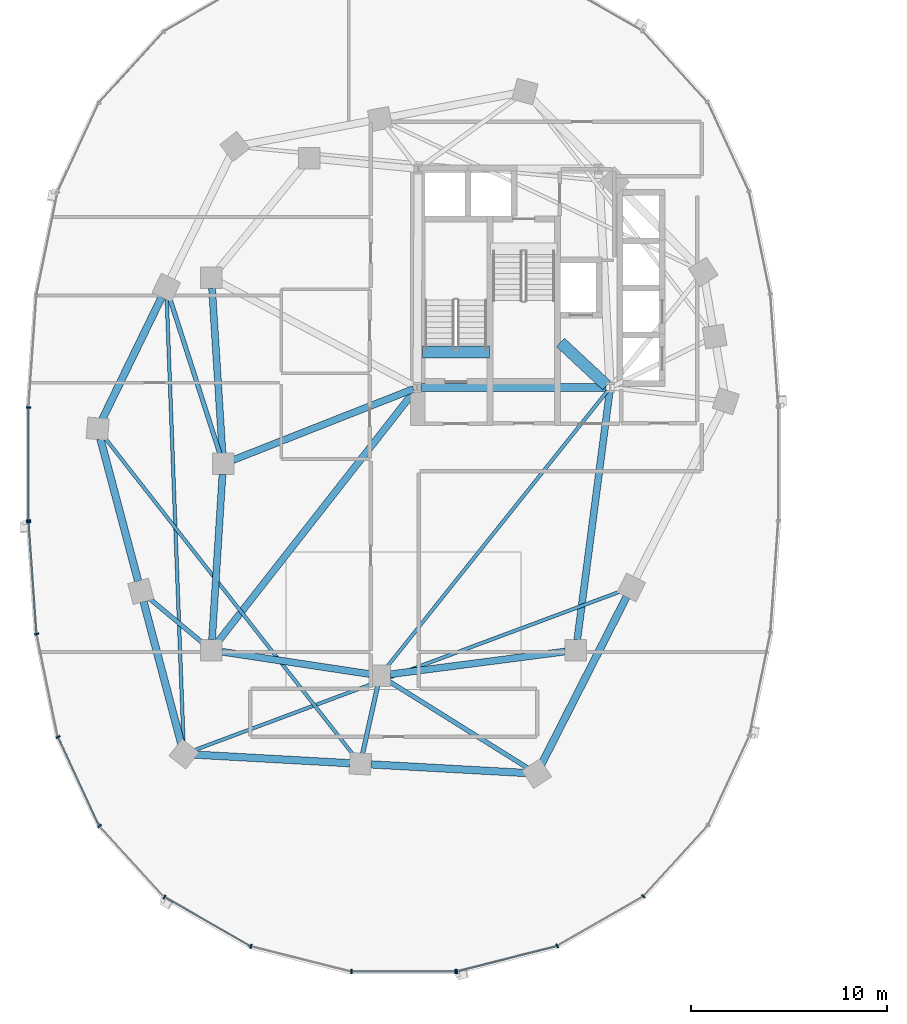
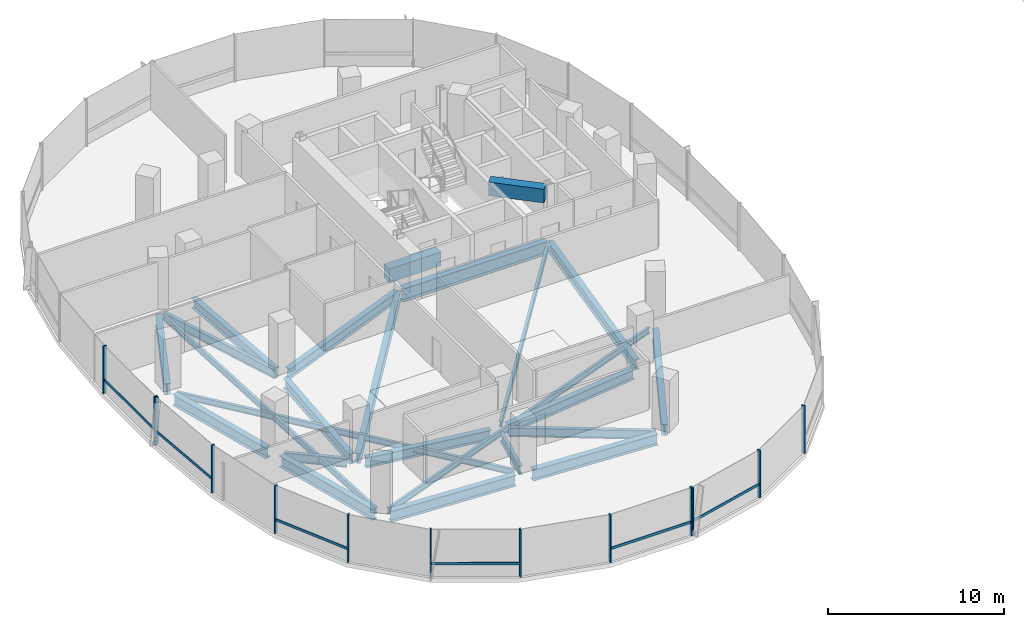
# One storey, part 2 of 21: 24 beams, 19 members, 3 elements without a shape of their own.
"""IFC4 building model written with IfcOpenShell, lengths in metres."""

from ifc_helpers import new_model, si_unit, direction, frame, origin, origin_2d, place, context, subcontext, project, spatial, rectangle, i_section, extrude, material, material_profile, profile_set, type_object, element, aggregate, save


model = new_model("IFC4")

# Units and contexts
model_context = context("Model", 3, precision=1e-05, world=origin(), true_north=direction((0.0, 1.0)))
body_context = subcontext(model_context, "Body", "Model", "MODEL_VIEW")
ifc_project = project(units=[si_unit("LENGTHUNIT", "METRE"), si_unit("AREAUNIT", "SQUARE_METRE"), si_unit("VOLUMEUNIT", "CUBIC_METRE"), si_unit("PLANEANGLEUNIT", "RADIAN"), si_unit("MASSUNIT", "GRAM", prefix="KILO"), si_unit("THERMODYNAMICTEMPERATUREUNIT", "KELVIN"), si_unit("POWERUNIT", "WATT")], contexts=[model_context])

# Site, building, storey
site_placement = place(None, origin())
site = spatial("IfcSite", under=ifc_project, at=site_placement, CompositionType="ELEMENT")
building_placement = place(site_placement, origin())
building = spatial("IfcBuilding", under=site, at=building_placement, Name="Cundina Bronze Exchange", CompositionType="ELEMENT")
storey_placement = place(building_placement, frame((0.0, 0.0, 103.39990234375)))
storey = spatial("IfcBuildingStorey", under=building, at=storey_placement, Name="L26", CompositionType="ELEMENT", Elevation=103.39990234375)

# Beams
ifc_material_1 = material(Name="Concrete C60/75", Category="concrete")
ifc_material_profile_1 = material_profile(ifc_material_1, rectangle(XDim=0.60009765625, YDim=0.949951171875, at=origin_2d()), Name="RC600X950", Category="concrete")
ifc_profile_set_1 = profile_set([ifc_material_profile_1], Name="Concrete C60/75")
beam_type_1 = type_object("IfcBeamType", Name="BM-COUP-RC950", PredefinedType="LINTEL", material=ifc_profile_set_1)
beam_1_placement = place(storey_placement, frame((-31.02001953125, 5.719970703125, -0.474853515625), z_axis=(1.0, 0.0, 0.0), x_axis=(0.0, 1.0, 0.0)))
element("IfcBeam", 1, at=beam_1_placement, inside=storey, type_object=beam_type_1, Name="L26 Stair W1 Landing Header Beam", PredefinedType="LINTEL", context=body_context, shape_type="SweptSolid", body=[
    extrude(rectangle(XDim=0.60009765625, YDim=0.949951171875, at=origin_2d()), origin(), (0.0, 0.0, 1.0), 3.39990234375),
])
beam_2_placement = place(storey_placement, frame((-23.989990234375, 6.199951171875, 2.8251953125), z_axis=(0.731490439815, -0.681851696822, 0.0), x_axis=(0.681851696822, 0.731490439815, 0.0)))
element("IfcBeam", 2, at=beam_2_placement, inside=storey, type_object=beam_type_1, Name="L26 W Core Shear Coupling Lintel Beam", PredefinedType="LINTEL", context=body_context, shape_type="SweptSolid", body=[
    extrude(rectangle(XDim=0.60009765625, YDim=0.949951171875, at=origin_2d()), origin(), (0.0, 0.0, 1.0), 3.226318359375),
])
ifc_material_2 = material(Name="Steel ASTM A992 Grade 50", Category="steel")
ifc_material_profile_2 = material_profile(ifc_material_2, i_section(OverallWidth=0.22998046875, OverallDepth=0.616943359375, WebThickness=0.01318359375, FlangeThickness=0.022216796875, FilletRadius=0.013916015625, at=origin_2d()), Name="W24X94", Category="steel")
ifc_profile_set_2 = profile_set([ifc_material_profile_2], Name="Steel ASTM A992 Grade 50")
beam_type_2 = type_object("IfcBeamType", Name="BM-FLR-W24B", PredefinedType="BEAM", material=ifc_profile_set_2)
beam_3_placement = place(storey_placement, frame((-41.364990234375, 0.51220703125, -0.6083984375), z_axis=(-0.306710777581, 0.951802762612, 0.0), x_axis=(-0.951802762612, -0.306710777581, 0.0)))
element("IfcBeam", 3, at=beam_3_placement, inside=storey, type_object=beam_type_2, Name="L26 Leg W Radial Floor Beam 07", PredefinedType="BEAM", context=body_context, shape_type="SweptSolid", body=[
    extrude(i_section(OverallWidth=0.22998046875, OverallDepth=0.616943359375, WebThickness=0.01318359375, FlangeThickness=0.022216796875, FilletRadius=0.013916015625, at=origin_2d()), origin(), (0.0, 0.0, 1.0), 8.37939453125),
])
beam_4_placement = place(storey_placement, frame((-42.21337890625, -9.155517578125, -0.6083984375), z_axis=(-0.768243451945, 0.640157791911, 0.0), x_axis=(-0.640157791911, -0.768243451945, 0.0)))
element("IfcBeam", 4, at=beam_4_placement, inside=storey, type_object=beam_type_2, Name="L26 Leg W Radial Floor Beam 09", PredefinedType="BEAM", context=body_context, shape_type="SweptSolid", body=[
    extrude(i_section(OverallWidth=0.22998046875, OverallDepth=0.616943359375, WebThickness=0.01318359375, FlangeThickness=0.022216796875, FilletRadius=0.013916015625, at=origin_2d()), origin(), (0.0, 0.0, 1.0), 3.610107421875),
])
beam_5_placement = place(storey_placement, frame((-33.316650390625, -11.3251953125, -0.6083984375), z_axis=(-0.216930457819, -0.976187060184, 0.0), x_axis=(0.976187060184, -0.216930457819, 0.0)))
element("IfcBeam", 5, at=beam_5_placement, inside=storey, type_object=beam_type_2, Name="L26 Leg W Radial Floor Beam 11", PredefinedType="BEAM", context=body_context, shape_type="SweptSolid", body=[
    extrude(i_section(OverallWidth=0.22998046875, OverallDepth=0.616943359375, WebThickness=0.01318359375, FlangeThickness=0.022216796875, FilletRadius=0.013916015625, at=origin_2d()), origin(), (0.0, 0.0, 1.0), 3.533935546875),
])
beam_6_placement = place(storey_placement, frame((-32.743896484375, -11.085205078125, -0.6083984375), z_axis=(0.848003227047, -0.529991063055, 0.0), x_axis=(0.529991063055, 0.848003227047, 0.0)))
element("IfcBeam", 6, at=beam_6_placement, inside=storey, type_object=beam_type_2, Name="L26 Leg W Radial Floor Beam 12", PredefinedType="BEAM", context=body_context, shape_type="SweptSolid", body=[
    extrude(i_section(OverallWidth=0.22998046875, OverallDepth=0.616943359375, WebThickness=0.01318359375, FlangeThickness=0.022216796875, FilletRadius=0.013916015625, at=origin_2d()), origin(), (0.0, 0.0, 1.0), 8.358154296875),
])
ifc_material_profile_3 = material_profile(ifc_material_2, i_section(OverallWidth=0.178955078125, OverallDepth=0.409912109375, WebThickness=0.0087890625, FlangeThickness=0.014404296875, FilletRadius=0.010986328125, at=origin_2d()), Name="W16X45", Category="steel")
ifc_profile_set_3 = profile_set([ifc_material_profile_3], Name="Steel ASTM A992 Grade 50")
beam_type_3 = type_object("IfcBeamType", Name="BM-JST-W16", PredefinedType="JOIST", material=ifc_profile_set_3)
beam_7_placement = place(storey_placement, frame((-21.577392578125, 3.740478515625, -0.5048828125), z_axis=(-0.62436887964, -0.781129632095, 0.0), x_axis=(0.781129632095, -0.62436887964, 0.0)))
element("IfcBeam", 7, at=beam_7_placement, inside=storey, type_object=beam_type_3, Name="L26 W Interior Core-to-Ring Joist 2", PredefinedType="JOIST", context=body_context, shape_type="SweptSolid", body=[
    extrude(i_section(OverallWidth=0.178955078125, OverallDepth=0.409912109375, WebThickness=0.0087890625, FlangeThickness=0.014404296875, FilletRadius=0.010986328125, at=origin_2d()), origin(), (0.0, 0.0, 1.0), 18.076904296875),
])
beam_8_placement = place(storey_placement, frame((-44.07958984375, 8.46240234375, -0.5048828125), z_axis=(0.03778951385, -0.999285721224, 0.0), x_axis=(0.999285721224, 0.03778951385, 0.0)))
element("IfcBeam", 8, at=beam_8_placement, inside=storey, type_object=beam_type_3, Name="L26 Leg W Lobe Floor Joist 07-10", PredefinedType="JOIST", context=body_context, shape_type="SweptSolid", body=[
    extrude(i_section(OverallWidth=0.178955078125, OverallDepth=0.409912109375, WebThickness=0.0087890625, FlangeThickness=0.014404296875, FilletRadius=0.010986328125, at=origin_2d()), origin(), (0.0, 0.0, 1.0), 22.7412109375),
])
beam_9_placement = place(storey_placement, frame((-47.268310546875, 1.37646484375, -0.5048828125), z_axis=(0.616815348306, -0.787107887201, 0.0), x_axis=(0.787107887201, 0.616815348306, 0.0)))
element("IfcBeam", 9, at=beam_9_placement, inside=storey, type_object=beam_type_3, Name="L26 Leg W Lobe Floor Joist 08-11", PredefinedType="JOIST", context=body_context, shape_type="SweptSolid", body=[
    extrude(i_section(OverallWidth=0.178955078125, OverallDepth=0.409912109375, WebThickness=0.0087890625, FlangeThickness=0.014404296875, FilletRadius=0.010986328125, at=origin_2d()), origin(), (0.0, 0.0, 1.0), 20.64892578125),
])
beam_10_placement = place(storey_placement, frame((-42.69580078125, -14.6123046875, -0.5048828125), z_axis=(0.937127917421, 0.348986054721, 0.0), x_axis=(-0.348986054721, 0.937127917421, 0.0)))
element("IfcBeam", 10, at=beam_10_placement, inside=storey, type_object=beam_type_3, Name="L26 Leg W Lobe Floor Joist 10-13", PredefinedType="JOIST", context=body_context, shape_type="SweptSolid", body=[
    extrude(i_section(OverallWidth=0.178955078125, OverallDepth=0.409912109375, WebThickness=0.0087890625, FlangeThickness=0.014404296875, FilletRadius=0.010986328125, at=origin_2d()), origin(), (0.0, 0.0, 1.0), 23.2802734375),
])
ifc_material_profile_4 = material_profile(ifc_material_2, i_section(OverallWidth=0.35498046875, OverallDepth=0.695068359375, WebThickness=0.015380859375, FlangeThickness=0.02490234375, FilletRadius=0.01806640625, at=origin_2d()), Name="W27X146", Category="steel")
ifc_profile_set_4 = profile_set([ifc_material_profile_4], Name="Steel ASTM A992 Grade 50")
beam_type_4 = type_object("IfcBeamType", Name="BM-RING-W27", PredefinedType="USERDEFINED", material=ifc_profile_set_4)
for number, where, z_axis, x_axis, name in (
    (11, (-41.76611328125, 8.963134765625, -0.6474609375), (0.06303715519, -0.998011180832, 0.0), (0.998011180832, 0.06303715519, 0.0), "L26 W Inner Structural Ring Girder 03"),
    (12, (-41.23388671875, -0.536865234375, -0.6474609375), (-0.06303715519, -0.998011180832, 0.0), (0.998011180832, -0.06303715519, 0.0), "L26 W Inner Structural Ring Girder 04"),
):
    element("IfcBeam", number, at=place(storey_placement, frame(where, z_axis=z_axis, x_axis=x_axis)), inside=storey, type_object=beam_type_4, Name=name, ObjectType="GIRDER", PredefinedType="USERDEFINED", context=body_context, shape_type="SweptSolid", body=[
        extrude(i_section(OverallWidth=0.35498046875, OverallDepth=0.695068359375, WebThickness=0.015380859375, FlangeThickness=0.02490234375, FilletRadius=0.01806640625, at=origin_2d()), origin(), (0.0, 0.0, 1.0), 8.443115234375),
    ])
beam_11_placement = place(storey_placement, frame((-41.26806640625, -9.580322265625, -0.6474609375), z_axis=(0.988767489563, -0.149461873341, 0.0), x_axis=(0.149461873341, 0.988767489563, 0.0)))
element("IfcBeam", 13, at=beam_11_placement, inside=storey, type_object=beam_type_4, Name="L26 W Inner Structural Ring Girder 05", ObjectType="GIRDER", PredefinedType="USERDEFINED", context=body_context, shape_type="SweptSolid", body=[
    extrude(i_section(OverallWidth=0.35498046875, OverallDepth=0.695068359375, WebThickness=0.015380859375, FlangeThickness=0.02490234375, FilletRadius=0.01806640625, at=origin_2d()), origin(), (0.0, 0.0, 1.0), 7.621826171875),
])
beam_12_placement = place(storey_placement, frame((-32.66650390625, -10.730712890625, -0.6474609375), z_axis=(0.991654577907, 0.128923225666, 0.0), x_axis=(-0.128923225666, 0.991654577907, 0.0)))
element("IfcBeam", 14, at=beam_12_placement, inside=storey, type_object=beam_type_4, Name="L26 W Inner Structural Ring Girder 06", ObjectType="GIRDER", PredefinedType="USERDEFINED", context=body_context, shape_type="SweptSolid", body=[
    extrude(i_section(OverallWidth=0.35498046875, OverallDepth=0.695068359375, WebThickness=0.015380859375, FlangeThickness=0.02490234375, FilletRadius=0.01806640625, at=origin_2d()), origin(), (0.0, 0.0, 1.0), 9.00830078125),
])
beam_13_placement = place(storey_placement, frame((-23.13037109375, -8.966552734375, -0.6474609375), z_axis=(0.129507526533, 0.99157843894, 0.0), x_axis=(-0.99157843894, 0.129507526533, 0.0)))
element("IfcBeam", 15, at=beam_13_placement, inside=storey, type_object=beam_type_4, Name="L26 W Inner Structural Ring Girder 07", ObjectType="GIRDER", PredefinedType="USERDEFINED", context=body_context, shape_type="SweptSolid", body=[
    extrude(i_section(OverallWidth=0.35498046875, OverallDepth=0.695068359375, WebThickness=0.015380859375, FlangeThickness=0.02490234375, FilletRadius=0.01806640625, at=origin_2d()), origin(), (0.0, 0.0, 1.0), 12.77197265625),
])
beam_14_placement = place(storey_placement, frame((-31.48974609375, 3.8251953125, -0.6474609375), z_axis=(-0.930413235418, -0.366512225388, 0.0), x_axis=(0.366512225388, -0.930413235418, 0.0)))
element("IfcBeam", 16, at=beam_14_placement, inside=storey, type_object=beam_type_4, Name="L26 W Core-to-Waist Tie Beam 1", ObjectType="GIRDER", PredefinedType="USERDEFINED", context=body_context, shape_type="SweptSolid", body=[
    extrude(i_section(OverallWidth=0.35498046875, OverallDepth=0.695068359375, WebThickness=0.015380859375, FlangeThickness=0.02490234375, FilletRadius=0.01806640625, at=origin_2d()), origin(), (0.0, 0.0, 1.0), 9.8984375),
])
beam_15_placement = place(storey_placement, frame((-31.42578125, 3.739501953125, -0.6474609375), z_axis=(-0.616789275748, -0.787128318206, 0.0), x_axis=(0.787128318206, -0.616789275748, 0.0)))
element("IfcBeam", 17, at=beam_15_placement, inside=storey, type_object=beam_type_4, Name="L26 W Core-to-Waist Tie Beam 3", ObjectType="GIRDER", PredefinedType="USERDEFINED", context=body_context, shape_type="SweptSolid", body=[
    extrude(i_section(OverallWidth=0.35498046875, OverallDepth=0.695068359375, WebThickness=0.015380859375, FlangeThickness=0.02490234375, FilletRadius=0.01806640625, at=origin_2d()), origin(), (0.0, 0.0, 1.0), 16.281982421875),
])
ifc_material_profile_5 = material_profile(ifc_material_2, i_section(OverallWidth=0.381103515625, OverallDepth=0.77294921875, WebThickness=0.0166015625, FlangeThickness=0.027099609375, FilletRadius=0.01904296875, at=origin_2d()), Name="W30X173", Category="steel")
ifc_profile_set_5 = profile_set([ifc_material_profile_5], Name="Steel ASTM A992 Grade 50")
beam_type_5 = type_object("IfcBeamType", Name="BM-RING-W30", PredefinedType="USERDEFINED", material=ifc_profile_set_5)
beam_16_placement = place(storey_placement, frame((-44.335205078125, 8.51611328125, -0.6865234375), z_axis=(-0.437193894283, -0.899367276924, 0.0), x_axis=(0.899367276924, -0.437193894283, 0.0)))
element("IfcBeam", 18, at=beam_16_placement, inside=storey, type_object=beam_type_5, Name="L26 W Perimeter Ring Girder 07", ObjectType="GIRDER", PredefinedType="USERDEFINED", context=body_context, shape_type="SweptSolid", body=[
    extrude(i_section(OverallWidth=0.381103515625, OverallDepth=0.77294921875, WebThickness=0.0166015625, FlangeThickness=0.027099609375, FilletRadius=0.01904296875, at=origin_2d()), origin(), (0.0, 0.0, 1.0), 6.929443359375),
])
for number, where, z_axis, x_axis, name in (
    (19, (-47.462158203125, 1.280029296875, -0.6865234375), (0.256209719931, -0.966621218168, 0.0), (0.966621218168, 0.256209719931, 0.0), "L26 W Perimeter Ring Girder 08"),
    (20, (-45.26220703125, -7.02001953125, -0.6865234375), (0.256209719931, -0.966621218168, 0.0), (0.966621218168, 0.256209719931, 0.0), "L26 W Perimeter Ring Girder 09"),
):
    element("IfcBeam", number, at=place(storey_placement, frame(where, z_axis=z_axis, x_axis=x_axis)), inside=storey, type_object=beam_type_5, Name=name, ObjectType="GIRDER", PredefinedType="USERDEFINED", context=body_context, shape_type="SweptSolid", body=[
        extrude(i_section(OverallWidth=0.381103515625, OverallDepth=0.77294921875, WebThickness=0.0166015625, FlangeThickness=0.027099609375, FilletRadius=0.01904296875, at=origin_2d()), origin(), (0.0, 0.0, 1.0), 7.5107421875),
    ])
for number, where, z_axis, x_axis, name in (
    (21, (-42.662841796875, -14.829833984375, -0.6865234375), (0.99845950136, -0.055485350721, 0.0), (0.055485350721, 0.99845950136, 0.0), "L26 W Perimeter Ring Girder 10"),
    (22, (-33.662841796875, -15.329833984375, -0.6865234375), (0.99845950136, -0.055485350721, 0.0), (0.055485350721, 0.99845950136, 0.0), "L26 W Perimeter Ring Girder 11"),
):
    element("IfcBeam", number, at=place(storey_placement, frame(where, z_axis=z_axis, x_axis=x_axis)), inside=storey, type_object=beam_type_5, Name=name, ObjectType="GIRDER", PredefinedType="USERDEFINED", context=body_context, shape_type="SweptSolid", body=[
        extrude(i_section(OverallWidth=0.381103515625, OverallDepth=0.77294921875, WebThickness=0.0166015625, FlangeThickness=0.027099609375, FilletRadius=0.01904296875, at=origin_2d()), origin(), (0.0, 0.0, 1.0), 7.937744140625),
    ])
beam_17_placement = place(storey_placement, frame((-24.956298828125, -15.3203125, -0.6865234375), z_axis=(0.452832332744, 0.891595692241, 0.0), x_axis=(-0.891595692241, 0.452832332744, 0.0)))
element("IfcBeam", 23, at=beam_17_placement, inside=storey, type_object=beam_type_5, Name="L26 W Perimeter Ring Girder 12", ObjectType="GIRDER", PredefinedType="USERDEFINED", context=body_context, shape_type="SweptSolid", body=[
    extrude(i_section(OverallWidth=0.381103515625, OverallDepth=0.77294921875, WebThickness=0.0166015625, FlangeThickness=0.027099609375, FilletRadius=0.01904296875, at=origin_2d()), origin(), (0.0, 0.0, 1.0), 9.578857421875),
])
ifc_material_profile_6 = material_profile(ifc_material_2, i_section(OverallWidth=0.41796875, OverallDepth=0.927001953125, WebThickness=0.019287109375, FlangeThickness=0.031982421875, FilletRadius=0.02392578125, at=origin_2d()), Name="W36X231", Category="steel")
ifc_profile_set_6 = profile_set([ifc_material_profile_6], Name="Steel ASTM A992 Grade 50")
beam_type_6 = type_object("IfcBeamType", Name="BM-WRN-W36B", PredefinedType="USERDEFINED", material=ifc_profile_set_6)
beam_18_placement = place(storey_placement, frame((-31.095947265625, 3.89990234375, -0.763427734375), z_axis=(1.0, 0.0, 0.0), x_axis=(0.0, 1.0, 0.0)))
element("IfcBeam", 24, at=beam_18_placement, inside=storey, type_object=beam_type_6, Name="L26 W Core Perimeter Tie Girder 1", ObjectType="GIRDER", PredefinedType="USERDEFINED", context=body_context, shape_type="SweptSolid", body=[
    extrude(i_section(OverallWidth=0.41796875, OverallDepth=0.927001953125, WebThickness=0.019287109375, FlangeThickness=0.031982421875, FilletRadius=0.02392578125, at=origin_2d()), origin(), (0.0, 0.0, 1.0), 9.44189453125),
])

# Curtain wall, members
ifc_material_3 = material(Name="Anodised Bronze Aluminium 6063-T6", Category="aluminium")
curtain_wall_type = type_object("IfcCurtainWallType", Name="CWS-TRD-MID", PredefinedType="NOTDEFINED", material=ifc_material_3)
curtain_wall_1_placement = place(storey_placement, origin())
curtain_wall_1 = element("IfcCurtainWall", 25, at=curtain_wall_1_placement, inside=storey, type_object=curtain_wall_type, Name="L26 CW-03 Curtain Wall Run CWR-L26-W2", PredefinedType="NOTDEFINED")
ifc_material_profile_7 = material_profile(ifc_material_3, rectangle(XDim=0.074951171875, YDim=0.219970703125, at=origin_2d()), Name="AL75X220", Category="aluminium")
ifc_profile_set_7 = profile_set([ifc_material_profile_7], Name="Anodised Bronze Aluminium 6063-T6")
member_type_1 = type_object("IfcMemberType", Name="CWM-MUL-220", PredefinedType="MULLION", material=ifc_profile_set_7)
member_1_placement = place(storey_placement, frame((-51.1279296875, 2.880615234375, 0.0), z_axis=(0.0, 0.0, 1.0), x_axis=(0.0, -1.0, 0.0)))
member_1 = element("IfcMember", 26, at=member_1_placement, type_object=member_type_1, Name="CW-03 Mullion 7", PredefinedType="MULLION", context=body_context, shape_type="SweptSolid", body=[
    extrude(rectangle(XDim=0.074951171875, YDim=0.219970703125, at=origin_2d()), origin(), (0.0, 0.0, 1.0), 3.300048828125),
])
member_2_placement = place(storey_placement, frame((-51.1279296875, -2.880615234375, 0.0), z_axis=(0.0, 0.0, 1.0), x_axis=(0.0, -1.0, 0.0)))
member_2 = element("IfcMember", 27, at=member_2_placement, type_object=member_type_1, Name="CW-03 End Mullion", PredefinedType="MULLION", context=body_context, shape_type="SweptSolid", body=[
    extrude(rectangle(XDim=0.074951171875, YDim=0.219970703125, at=origin_2d()), origin(), (0.0, 0.0, 1.0), 3.300048828125),
])

curtain_wall_2_placement = place(storey_placement, origin())
curtain_wall_2 = element("IfcCurtainWall", 28, at=curtain_wall_2_placement, inside=storey, type_object=curtain_wall_type, Name="L26 CW-03 Curtain Wall Run CWR-L26-W3", PredefinedType="NOTDEFINED")
member_3_placement = place(storey_placement, frame((-51.12451171875, -2.976318359375, 0.0), z_axis=(0.0, 0.0, 1.0), x_axis=(0.070278787473, -0.997527389113, 0.0)))
member_3 = element("IfcMember", 29, at=member_3_placement, type_object=member_type_1, Name="CW-03 Mullion 1", PredefinedType="MULLION", context=body_context, shape_type="SweptSolid", body=[
    extrude(rectangle(XDim=0.074951171875, YDim=0.219970703125, at=origin_2d()), origin(), (0.0, 0.0, 1.0), 3.300048828125),
])
member_4_placement = place(storey_placement, frame((-50.717041015625, -8.67822265625, 0.0), z_axis=(0.0, 0.0, 1.0), x_axis=(0.201419845156, -0.979505000486, 0.0)))
member_4 = element("IfcMember", 30, at=member_4_placement, type_object=member_type_1, Name="CW-03 Mullion 2", PredefinedType="MULLION", context=body_context, shape_type="SweptSolid", body=[
    extrude(rectangle(XDim=0.074951171875, YDim=0.219970703125, at=origin_2d()), origin(), (0.0, 0.0, 1.0), 3.300048828125),
])
member_5_placement = place(storey_placement, frame((-49.6279296875, -13.931884765625, 0.0), z_axis=(0.0, 0.0, 1.0), x_axis=(0.42087749791, -0.907117485088, 0.0)))
member_5 = element("IfcMember", 31, at=member_5_placement, type_object=member_type_1, Name="CW-03 Mullion 3", PredefinedType="MULLION", context=body_context, shape_type="SweptSolid", body=[
    extrude(rectangle(XDim=0.074951171875, YDim=0.219970703125, at=origin_2d()), origin(), (0.0, 0.0, 1.0), 3.300048828125),
])
member_6_placement = place(storey_placement, frame((-47.508544921875, -18.47705078125, 0.0), z_axis=(0.0, 0.0, 1.0), x_axis=(0.674302387584, -0.738455340626, 0.0)))
member_6 = element("IfcMember", 32, at=member_6_placement, type_object=member_type_1, Name="CW-03 Mullion 4", PredefinedType="MULLION", context=body_context, shape_type="SweptSolid", body=[
    extrude(rectangle(XDim=0.074951171875, YDim=0.219970703125, at=origin_2d()), origin(), (0.0, 0.0, 1.0), 3.300048828125),
])
member_7_placement = place(storey_placement, frame((-44.189697265625, -22.097412109375, 0.0), z_axis=(0.0, 0.0, 1.0), x_axis=(0.867070701164, -0.498185105339, 0.0)))
member_7 = element("IfcMember", 33, at=member_7_placement, type_object=member_type_1, Name="CW-03 Mullion 5", PredefinedType="MULLION", context=body_context, shape_type="SweptSolid", body=[
    extrude(rectangle(XDim=0.074951171875, YDim=0.219970703125, at=origin_2d()), origin(), (0.0, 0.0, 1.0), 3.300048828125),
])
member_8_placement = place(storey_placement, frame((-39.78515625, -24.61669921875, 0.0), z_axis=(0.0, 0.0, 1.0), x_axis=(0.969488149345, -0.245138182011, 0.0)))
member_8 = element("IfcMember", 34, at=member_8_placement, type_object=member_type_1, Name="CW-03 Mullion 6", PredefinedType="MULLION", context=body_context, shape_type="SweptSolid", body=[
    extrude(rectangle(XDim=0.074951171875, YDim=0.219970703125, at=origin_2d()), origin(), (0.0, 0.0, 1.0), 3.300048828125),
])
member_9_placement = place(storey_placement, frame((-34.654541015625, -25.905029296875, 0.0), z_axis=(0.0, 0.0, 1.0), x_axis=(1.0, 0.0, 0.0)))
member_9 = element("IfcMember", 35, at=member_9_placement, type_object=member_type_1, Name="CW-03 Mullion 7", PredefinedType="MULLION", context=body_context, shape_type="SweptSolid", body=[
    extrude(rectangle(XDim=0.074951171875, YDim=0.219970703125, at=origin_2d()), origin(), (0.0, 0.0, 1.0), 3.300048828125),
])
member_10_placement = place(storey_placement, frame((-29.345458984375, -25.905029296875, 0.0), z_axis=(0.0, 0.0, 1.0), x_axis=(1.0, 0.0, 0.0)))
member_10 = element("IfcMember", 36, at=member_10_placement, type_object=member_type_1, Name="CW-03 End Mullion", PredefinedType="MULLION", context=body_context, shape_type="SweptSolid", body=[
    extrude(rectangle(XDim=0.074951171875, YDim=0.219970703125, at=origin_2d()), origin(), (0.0, 0.0, 1.0), 3.300048828125),
])

curtain_wall_3_placement = place(storey_placement, origin())
curtain_wall_3 = element("IfcCurtainWall", 37, at=curtain_wall_3_placement, inside=storey, type_object=curtain_wall_type, Name="L26 CW-03 Curtain Wall Run CWR-L26-W4", PredefinedType="NOTDEFINED")
member_11_placement = place(storey_placement, frame((-29.27392578125, -25.89599609375, 0.0), z_axis=(0.0, 0.0, 1.0), x_axis=(0.969488149345, 0.245138182011, 0.0)))
member_11 = element("IfcMember", 38, at=member_11_placement, type_object=member_type_1, Name="CW-03 Mullion 1", PredefinedType="MULLION", context=body_context, shape_type="SweptSolid", body=[
    extrude(rectangle(XDim=0.074951171875, YDim=0.219970703125, at=origin_2d()), origin(), (0.0, 0.0, 1.0), 3.300048828125),
])
member_12_placement = place(storey_placement, frame((-24.151123046875, -24.591064453125, 0.0), z_axis=(0.0, 0.0, 1.0), x_axis=(0.867070701164, 0.498185105339, 0.0)))
member_12 = element("IfcMember", 39, at=member_12_placement, type_object=member_type_1, Name="CW-03 Mullion 2", PredefinedType="MULLION", context=body_context, shape_type="SweptSolid", body=[
    extrude(rectangle(XDim=0.074951171875, YDim=0.219970703125, at=origin_2d()), origin(), (0.0, 0.0, 1.0), 3.300048828125),
])
member_13_placement = place(storey_placement, frame((-19.760498046875, -22.0576171875, 0.0), z_axis=(0.0, 0.0, 1.0), x_axis=(0.674302387584, 0.738455340626, 0.0)))
member_13 = element("IfcMember", 40, at=member_13_placement, type_object=member_type_1, Name="CW-03 Mullion 3", PredefinedType="MULLION", context=body_context, shape_type="SweptSolid", body=[
    extrude(rectangle(XDim=0.074951171875, YDim=0.219970703125, at=origin_2d()), origin(), (0.0, 0.0, 1.0), 3.300048828125),
])

# Member
ifc_material_profile_8 = material_profile(ifc_material_3, rectangle(XDim=0.070068359375, YDim=0.179931640625, at=origin_2d()), Name="AL70X180", Category="aluminium")
ifc_profile_set_8 = profile_set([ifc_material_profile_8], Name="Anodised Bronze Aluminium 6063-T6")
member_type_2 = type_object("IfcMemberType", Name="CWM-TRN-180", PredefinedType="USERDEFINED", material=ifc_profile_set_8)
member_14_placement = place(storey_placement, frame((-51.1279296875, 2.839111328125, 0.920166015625), z_axis=(0.0, -1.0, 0.0), x_axis=(1.0, 0.0, 0.0)))
member_14 = element("IfcMember", 41, at=member_14_placement, type_object=member_type_2, Name="CW-03 Spandrel Transom 7", ObjectType="TRANSOM", PredefinedType="USERDEFINED", context=body_context, shape_type="SweptSolid", body=[
    extrude(rectangle(XDim=0.070068359375, YDim=0.179931640625, at=origin_2d()), origin(), (0.0, 0.0, 1.0), 5.67822265625),
])

aggregate(curtain_wall_1, [member_1, member_2, member_14])

member_15_placement = place(storey_placement, frame((-51.12158203125, -3.017333984375, 0.920166015625), z_axis=(0.070260714471, -0.997528662246, 0.0), x_axis=(0.997528662246, 0.070260714471, 0.0)))
member_15 = element("IfcMember", 42, at=member_15_placement, type_object=member_type_2, Name="CW-03 Spandrel Transom 1", ObjectType="TRANSOM", PredefinedType="USERDEFINED", context=body_context, shape_type="SweptSolid", body=[
    extrude(rectangle(XDim=0.070068359375, YDim=0.179931640625, at=origin_2d()), origin(), (0.0, 0.0, 1.0), 5.629150390625),
])

member_16_placement = place(storey_placement, frame((-49.610595703125, -13.96923828125, 0.920166015625), z_axis=(0.420811422796, -0.907148139195, 0.0), x_axis=(0.907148139195, 0.420811422796, 0.0)))
member_16 = element("IfcMember", 43, at=member_16_placement, type_object=member_type_2, Name="CW-03 Spandrel Transom 3", ObjectType="TRANSOM", PredefinedType="USERDEFINED", context=body_context, shape_type="SweptSolid", body=[
    extrude(rectangle(XDim=0.070068359375, YDim=0.179931640625, at=origin_2d()), origin(), (0.0, 0.0, 1.0), 4.95166015625),
])

member_17_placement = place(storey_placement, frame((-44.154052734375, -22.117919921875, 0.920166015625), z_axis=(0.867097475651, -0.498138502546, 0.0), x_axis=(0.498138502546, 0.867097475651, 0.0)))
member_17 = element("IfcMember", 44, at=member_17_placement, type_object=member_type_2, Name="CW-03 Spandrel Transom 5", ObjectType="TRANSOM", PredefinedType="USERDEFINED", context=body_context, shape_type="SweptSolid", body=[
    extrude(rectangle(XDim=0.070068359375, YDim=0.179931640625, at=origin_2d()), origin(), (0.0, 0.0, 1.0), 5.00634765625),
])

member_18_placement = place(storey_placement, frame((-34.61328125, -25.905029296875, 0.920166015625), z_axis=(1.0, 0.0, 0.0), x_axis=(0.0, 1.0, 0.0)))
member_18 = element("IfcMember", 45, at=member_18_placement, type_object=member_type_2, Name="CW-03 Spandrel Transom 7", ObjectType="TRANSOM", PredefinedType="USERDEFINED", context=body_context, shape_type="SweptSolid", body=[
    extrude(rectangle(XDim=0.070068359375, YDim=0.179931640625, at=origin_2d()), origin(), (0.0, 0.0, 1.0), 5.2265625),
])

aggregate(curtain_wall_2, [member_3, member_15, member_4, member_5, member_16, member_6, member_7, member_17, member_8, member_9, member_10, member_18])

member_19_placement = place(storey_placement, frame((-29.23388671875, -25.885986328125, 0.920166015625), z_axis=(0.969483968866, 0.245154714644, 0.0), x_axis=(-0.245154714644, 0.969483968866, 0.0)))
member_19 = element("IfcMember", 46, at=member_19_placement, type_object=member_type_2, Name="CW-03 Spandrel Transom 1", ObjectType="TRANSOM", PredefinedType="USERDEFINED", context=body_context, shape_type="SweptSolid", body=[
    extrude(rectangle(XDim=0.070068359375, YDim=0.179931640625, at=origin_2d()), origin(), (0.0, 0.0, 1.0), 5.21826171875),
])

aggregate(curtain_wall_3, [member_11, member_19, member_12, member_13])

save(model, "model.ifc")
